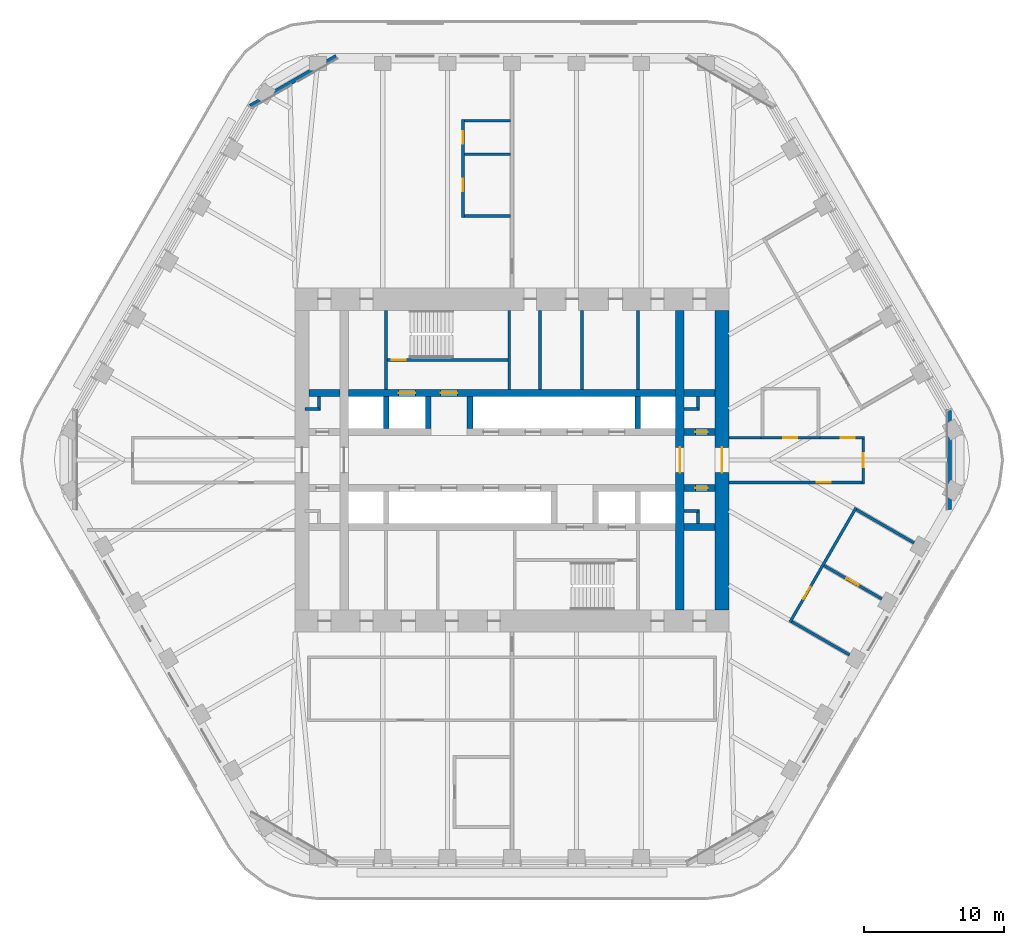
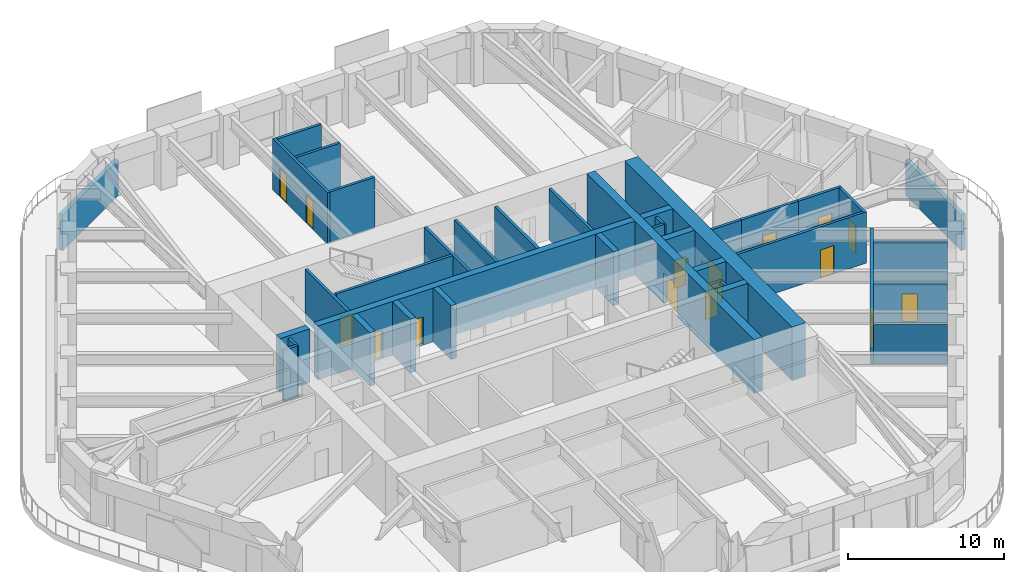
# One storey, part 16 of 20: 39 walls, 15 doors, 15 openings.
"""IFC4 building model written with IfcOpenShell, lengths in metres."""

from ifc_helpers import new_model, si_unit, direction, frame, frame_2d, origin, place, context, subcontext, project, spatial, rectangle, extrude, material, layer, layer_set, type_object, element, fill, save


model = new_model("IFC4")

# Units and contexts
model_context = context("Model", 3, precision=1e-05, world=origin(), true_north=direction((0.0, 1.0)))
body_context = subcontext(model_context, "Body", "Model", "MODEL_VIEW")
ifc_project = project(units=[si_unit("LENGTHUNIT", "METRE"), si_unit("AREAUNIT", "SQUARE_METRE"), si_unit("VOLUMEUNIT", "CUBIC_METRE"), si_unit("PLANEANGLEUNIT", "RADIAN"), si_unit("MASSUNIT", "GRAM", prefix="KILO")], contexts=[model_context])

# Site, building, storey
site_placement = place(None, origin())
site = spatial("IfcSite", under=ifc_project, at=site_placement, CompositionType="ELEMENT")
building_placement = place(site_placement, origin())
building = spatial("IfcBuilding", under=site, at=building_placement, Name="Tarfa Lantern Tower", CompositionType="ELEMENT")
storey_placement = place(building_placement, frame((0.0, 0.0, 261.699951171875)))
storey = spatial("IfcBuildingStorey", under=building, at=storey_placement, Name="L59", CompositionType="ELEMENT", Elevation=261.699951171875)

# Walls
ifc_material_1 = material(Name="Limestone cladding on blockwork", Category="masonry")
ifc_layer_1 = layer(ifc_material_1, 0.300048828125)
ifc_layer_set_1 = layer_set([ifc_layer_1], Name="EW1 STONE-CLAD WALL 300")
wall_type_1 = type_object("IfcWallType", Name="EW1 STONE-CLAD WALL 300", PredefinedType="SOLIDWALL", material=ifc_layer_set_1)
wall_1_placement = place(storey_placement, frame((-12.556396484375, 28.85009765625, 0.0), z_axis=(0.0, 0.0, 1.0), x_axis=(-0.866010973379, -0.500024993363, 0.0)))
element("IfcWall", 1, at=wall_1_placement, inside=storey, type_object=wall_type_1, Name="Garden wall N-NW", PredefinedType="SOLIDWALL", context=body_context, shape_type="SweptSolid", body=[
    extrude(rectangle(XDim=7.101806640625, YDim=0.300048828125, at=frame_2d((3.55078125, 0.0))), origin(), (0.0, 0.0, 1.0), 2.800048828125),
])
wall_2_placement = place(storey_placement, frame((31.262939453125, -3.55078125, 0.0), z_axis=(0.0, 0.0, 1.0), x_axis=(0.0, 1.0, 0.0)))
element("IfcWall", 2, at=wall_2_placement, inside=storey, type_object=wall_type_1, Name="Garden wall SE-NE", PredefinedType="SOLIDWALL", context=body_context, shape_type="SweptSolid", body=[
    extrude(rectangle(XDim=7.1015625, YDim=0.300048828125, at=frame_2d((3.55078125, 0.0))), origin(), (0.0, 0.0, 1.0), 2.800048828125),
])
ifc_material_2 = material(Name="Concrete blockwork", Category="masonry")
ifc_layer_2 = layer(ifc_material_2, 0.199951171875)
ifc_layer_set_2 = layer_set([ifc_layer_2], Name="IW1 BLOCKWORK PARTITION 200 EI 120")
wall_type_2 = type_object("IfcWallType", Name="IW1 BLOCKWORK PARTITION 200 EI 120", PredefinedType="PARTITIONING", material=ifc_layer_set_2)
for number, where, z_axis, x_axis, name in (
    (3, (-9.0, 5.050048828125, 0.0), (0.0, 0.0, 1.0), (0.0, 1.0, 0.0), "Core partition"),
    (4, (9.0, 5.050048828125, 0.0), (0.0, 0.0, 1.0), (0.0, 1.0, 0.0), "Core partition"),
    (5, (2.0, 5.050048828125, 0.0), (0.0, 0.0, 1.0), (0.0, 1.0, 0.0), "Core partition"),
    (6, (5.0, 5.050048828125, 0.0), (0.0, 0.0, 1.0), (0.0, 1.0, 0.0), "Core partition"),
):
    element("IfcWall", number, at=place(storey_placement, frame(where, z_axis=z_axis, x_axis=x_axis)), inside=storey, type_object=wall_type_2, Name=name, PredefinedType="PARTITIONING", context=body_context, shape_type="SweptSolid", body=[
        extrude(rectangle(XDim=5.64990234375, YDim=0.199951171875, at=frame_2d((2.824951171875, 0.0))), origin(), (0.0, 0.0, 1.0), 4.0),
    ])
for number, where, z_axis, x_axis, name in (
    (7, (-14.800048828125, 3.64990234375, 0.0), (0.0, 0.0, 1.0), (1.0, 0.0, 0.0), "Core partition"),
    (8, (-13.800048828125, 3.550048828125, 0.0), (0.0, 0.0, 1.0), (0.0, 1.0, 0.0), "Core partition"),
    (9, (12.300048828125, 3.64990234375, 0.0), (0.0, 0.0, 1.0), (1.0, 0.0, 0.0), "Core partition"),
    (10, (13.300048828125, 3.550048828125, 0.0), (0.0, 0.0, 1.0), (0.0, 1.0, 0.0), "Core partition"),
    (11, (13.300048828125, -3.64990234375, 0.0), (0.0, 0.0, 1.0), (-1.0, 0.0, 0.0), "Core partition"),
    (12, (13.300048828125, -3.550048828125, 0.0), (0.0, 0.0, 1.0), (0.0, -1.0, 0.0), "Core partition"),
):
    element("IfcWall", number, at=place(storey_placement, frame(where, z_axis=z_axis, x_axis=x_axis)), inside=storey, type_object=wall_type_2, Name=name, PredefinedType="PARTITIONING", context=body_context, shape_type="SweptSolid", body=[
        extrude(rectangle(XDim=1.0, YDim=0.199951171875, at=frame_2d((0.5, 0.0))), origin(), (0.0, 0.0, 1.0), 4.0),
    ])

# Wall, opening, door
ifc_material_3 = material(Name="Gypsum board on steel studs", Category="steel")
ifc_layer_3 = layer(ifc_material_3, 0.2099609375)
ifc_layer_set_3 = layer_set([ifc_layer_3], Name="IW2 ACOUSTIC PARTITION 200")
wall_type_3 = type_object("IfcWallType", Name="IW2 ACOUSTIC PARTITION 200", PredefinedType="PARTITIONING", material=ifc_layer_set_3)
wall_3_placement = place(storey_placement, frame((19.86865234375, -11.586669921875, 0.0), z_axis=(0.0, 0.0, 1.0), x_axis=(0.499989672313, 0.866031366395, 0.0)))
wall_3 = element("IfcWall", 13, at=wall_3_placement, inside=storey, type_object=wall_type_3, Name="Partition", PredefinedType="PARTITIONING", context=body_context, shape_type="SweptSolid", body=[
    extrude(rectangle(XDim=9.437744140625, YDim=0.199951171875, at=frame_2d((4.71875, 0.0))), origin(), (0.0, 0.0, 1.0), 4.0),
])
opening_1_placement = place(wall_3_placement, frame((1.909423828125, 0.0, 0.0)))
opening_1 = element("IfcOpeningElement", 14, at=opening_1_placement, cuts=wall_3, Name="Opening D30", PredefinedType="OPENING", context=body_context, shape_type="SweptSolid", body=[
    extrude(rectangle(XDim=1.0, YDim=2.199951171875, at=frame_2d((0.5, 1.10009765625))), frame((0.0, 0.10986328125, 0.0), z_axis=(0.0, -1.0, 0.0), x_axis=(1.0, 0.0, 0.0)), (0.0, 0.0, 1.0), 0.219970703125),
])
ifc_material_4 = material(Name="Timber door", Category="wood")
door_type_1 = type_object("IfcDoorType", Name="DR1 ROOM DOOR 1000x2200", OperationType="SINGLE_SWING_LEFT", PredefinedType="DOOR", material=ifc_material_4)
door_1_placement = place(opening_1_placement, frame((1.0, 0.0, 0.0), z_axis=(0.0, 0.0, 1.0), x_axis=(-1.0, 0.0, 0.0)))
door_1 = element("IfcDoor", 15, at=door_1_placement, inside=storey, type_object=door_type_1, Name="Client reception door", OperationType="SINGLE_SWING_LEFT", OverallHeight=2.199951171875, OverallWidth=1.0, PredefinedType="DOOR", context=body_context, shape_type="SweptSolid", body=[
    extrude(rectangle(XDim=1.0, YDim=2.199951171875, at=frame_2d((0.5, 1.10009765625))), frame((0.0, 0.02490234375, 0.0), z_axis=(0.0, -1.0, 0.0), x_axis=(1.0, 0.0, 0.0)), (0.0, 0.0, 1.0), 0.050048828125),
])
fill(opening_1, door_1)

# Wall
wall_4_placement = place(storey_placement, frame((20.005126953125, -11.550048828125, 0.0), z_axis=(0.0, 0.0, 1.0), x_axis=(0.866033238375, -0.499986429846, 0.0)))
element("IfcWall", 16, at=wall_4_placement, inside=storey, type_object=wall_type_3, Name="Partition", PredefinedType="PARTITIONING", context=body_context, shape_type="SweptSolid", body=[
    extrude(rectangle(XDim=4.750244140625, YDim=0.199951171875, at=frame_2d((2.375, 0.0))), origin(), (0.0, 0.0, 1.0), 3.08154296875),
])

# Wall, opening, door
wall_5_placement = place(storey_placement, frame((22.314697265625, -7.550048828125, 0.0), z_axis=(0.0, 0.0, 1.0), x_axis=(0.866020389056, -0.500008685663, 0.0)))
wall_5 = element("IfcWall", 17, at=wall_5_placement, inside=storey, type_object=wall_type_3, Name="Partition", PredefinedType="PARTITIONING", context=body_context, shape_type="SweptSolid", body=[
    extrude(rectangle(XDim=4.75, YDim=0.199951171875, at=frame_2d((2.375, 0.0))), origin(), (0.0, 0.0, 1.0), 3.08154296875),
])
opening_2_placement = place(wall_5_placement, frame((1.824951171875, 0.0, 0.0)))
opening_2 = element("IfcOpeningElement", 18, at=opening_2_placement, cuts=wall_5, Name="Opening D31", PredefinedType="OPENING", context=body_context, shape_type="SweptSolid", body=[
    extrude(rectangle(XDim=1.0, YDim=2.199951171875, at=frame_2d((0.5, 1.10009765625))), frame((0.0, 0.10986328125, 0.0), z_axis=(0.0, -1.0, 0.0), x_axis=(1.0, 0.0, 0.0)), (0.0, 0.0, 1.0), 0.219970703125),
])
door_2_placement = place(opening_2_placement, origin())
door_2 = element("IfcDoor", 19, at=door_2_placement, inside=storey, type_object=door_type_1, Name="Client meeting room door", OperationType="SINGLE_SWING_RIGHT", OverallHeight=2.199951171875, OverallWidth=1.0, PredefinedType="DOOR", context=body_context, shape_type="SweptSolid", body=[
    extrude(rectangle(XDim=1.0, YDim=2.199951171875, at=frame_2d((0.5, 1.10009765625))), frame((0.0, 0.02490234375, 0.0), z_axis=(0.0, -1.0, 0.0), x_axis=(1.0, 0.0, 0.0)), (0.0, 0.0, 1.0), 0.050048828125),
])
fill(opening_2, door_2)

# Wall
wall_6_placement = place(storey_placement, frame((24.6240234375, -3.550048828125, 0.0), z_axis=(0.0, 0.0, 1.0), x_axis=(0.866020389056, -0.500008685663, 0.0)))
element("IfcWall", 20, at=wall_6_placement, inside=storey, type_object=wall_type_3, Name="Partition", PredefinedType="PARTITIONING", context=body_context, shape_type="SweptSolid", body=[
    extrude(rectangle(XDim=4.75, YDim=0.199951171875, at=frame_2d((2.375, 0.0))), origin(), (0.0, 0.0, 1.0), 3.08154296875),
])

# Wall, opening, door
wall_7_placement = place(storey_placement, frame((17.800048828125, 1.60009765625, 0.0), z_axis=(0.0, 0.0, 1.0), x_axis=(1.0, 0.0, 0.0)))
wall_7 = element("IfcWall", 21, at=wall_7_placement, inside=storey, type_object=wall_type_3, Name="Partition", PredefinedType="PARTITIONING", context=body_context, shape_type="SweptSolid", body=[
    extrude(rectangle(XDim=4.199951171875, YDim=0.199951171875, at=frame_2d((2.10009765625, 0.0))), origin(), (0.0, 0.0, 1.0), 4.0),
])
opening_3_placement = place(wall_7_placement, frame((1.60009765625, 0.0, 0.0)))
opening_3 = element("IfcOpeningElement", 22, at=opening_3_placement, cuts=wall_7, Name="Opening D27", PredefinedType="OPENING", context=body_context, shape_type="SweptSolid", body=[
    extrude(rectangle(XDim=1.0, YDim=2.199951171875, at=frame_2d((0.5, 1.10009765625))), frame((0.0, 0.10986328125, 0.0), z_axis=(0.0, -1.0, 0.0), x_axis=(1.0, 0.0, 0.0)), (0.0, 0.0, 1.0), 0.219970703125),
])
door_3_placement = place(opening_3_placement, origin())
door_3 = element("IfcDoor", 23, at=door_3_placement, inside=storey, type_object=door_type_1, Name="Pantry door", OperationType="SINGLE_SWING_LEFT", OverallHeight=2.199951171875, OverallWidth=1.0, PredefinedType="DOOR", context=body_context, shape_type="SweptSolid", body=[
    extrude(rectangle(XDim=1.0, YDim=2.199951171875, at=frame_2d((0.5, 1.10009765625))), frame((0.0, 0.02490234375, 0.0), z_axis=(0.0, -1.0, 0.0), x_axis=(1.0, 0.0, 0.0)), (0.0, 0.0, 1.0), 0.050048828125),
])
fill(opening_3, door_3)

# Wall
wall_8_placement = place(storey_placement, frame((15.5, 1.60009765625, 0.0), z_axis=(0.0, 0.0, 1.0), x_axis=(1.0, 0.0, 0.0)))
element("IfcWall", 24, at=wall_8_placement, inside=storey, type_object=wall_type_3, Name="Partition", PredefinedType="PARTITIONING", context=body_context, shape_type="SweptSolid", body=[
    extrude(rectangle(XDim=2.300048828125, YDim=0.199951171875, at=frame_2d((1.14990234375, 0.0))), origin(), (0.0, 0.0, 1.0), 4.0),
])

# Wall, opening, door
wall_9_placement = place(storey_placement, frame((22.0, 1.60009765625, 0.0), z_axis=(0.0, 0.0, 1.0), x_axis=(1.0, 0.0, 0.0)))
wall_9 = element("IfcWall", 25, at=wall_9_placement, inside=storey, type_object=wall_type_3, Name="Partition", PredefinedType="PARTITIONING", context=body_context, shape_type="SweptSolid", body=[
    extrude(rectangle(XDim=3.199951171875, YDim=0.199951171875, at=frame_2d((1.60009765625, 0.0))), origin(), (0.0, 0.0, 1.0), 4.0),
])
opening_4_placement = place(wall_9_placement, frame((1.5, 0.0, 0.0)))
opening_4 = element("IfcOpeningElement", 26, at=opening_4_placement, cuts=wall_9, Name="Opening D38", PredefinedType="OPENING", context=body_context, shape_type="SweptSolid", body=[
    extrude(rectangle(XDim=1.0, YDim=2.199951171875, at=frame_2d((0.5, 1.10009765625))), frame((0.0, 0.10986328125, 0.0), z_axis=(0.0, -1.0, 0.0), x_axis=(1.0, 0.0, 0.0)), (0.0, 0.0, 1.0), 0.219970703125),
])
door_4_placement = place(opening_4_placement, origin())
door_4 = element("IfcDoor", 27, at=door_4_placement, inside=storey, type_object=door_type_1, Name="Corridor door", OperationType="SINGLE_SWING_RIGHT", OverallHeight=2.199951171875, OverallWidth=1.0, PredefinedType="DOOR", context=body_context, shape_type="SweptSolid", body=[
    extrude(rectangle(XDim=1.0, YDim=2.199951171875, at=frame_2d((0.5, 1.10009765625))), frame((0.0, 0.02490234375, 0.0), z_axis=(0.0, -1.0, 0.0), x_axis=(1.0, 0.0, 0.0)), (0.0, 0.0, 1.0), 0.050048828125),
])
fill(opening_4, door_4)

wall_10_placement = place(storey_placement, frame((15.5, -1.60009765625, 0.0), z_axis=(0.0, 0.0, 1.0), x_axis=(1.0, 0.0, 0.0)))
wall_10 = element("IfcWall", 28, at=wall_10_placement, inside=storey, type_object=wall_type_3, Name="Partition", PredefinedType="PARTITIONING", context=body_context, shape_type="SweptSolid", body=[
    extrude(rectangle(XDim=9.699951171875, YDim=0.199951171875, at=frame_2d((4.85009765625, 0.0))), origin(), (0.0, 0.0, 1.0), 4.0),
])
opening_5_placement = place(wall_10_placement, frame((6.2900390625, 0.0, 0.0)))
opening_5 = element("IfcOpeningElement", 29, at=opening_5_placement, cuts=wall_10, Name="Opening D39", PredefinedType="OPENING", context=body_context, shape_type="SweptSolid", body=[
    extrude(rectangle(XDim=1.0, YDim=2.199951171875, at=frame_2d((0.5, 1.10009765625))), frame((0.0, 0.10986328125, 0.0), z_axis=(0.0, -1.0, 0.0), x_axis=(1.0, 0.0, 0.0)), (0.0, 0.0, 1.0), 0.219970703125),
])
door_5_placement = place(opening_5_placement, frame((1.0, 0.0, 0.0), z_axis=(0.0, 0.0, 1.0), x_axis=(-1.0, 0.0, 0.0)))
door_5 = element("IfcDoor", 30, at=door_5_placement, inside=storey, type_object=door_type_1, Name="Corridor door", OperationType="SINGLE_SWING_RIGHT", OverallHeight=2.199951171875, OverallWidth=1.0, PredefinedType="DOOR", context=body_context, shape_type="SweptSolid", body=[
    extrude(rectangle(XDim=1.0, YDim=2.199951171875, at=frame_2d((0.5, 1.10009765625))), frame((0.0, 0.02490234375, 0.0), z_axis=(0.0, -1.0, 0.0), x_axis=(1.0, 0.0, 0.0)), (0.0, 0.0, 1.0), 0.050048828125),
])
fill(opening_5, door_5)

wall_11_placement = place(storey_placement, frame((25.10009765625, -1.699951171875, 0.0), z_axis=(0.0, 0.0, 1.0), x_axis=(0.0, 1.0, 0.0)))
wall_11 = element("IfcWall", 31, at=wall_11_placement, inside=storey, type_object=wall_type_3, Name="Partition", PredefinedType="PARTITIONING", context=body_context, shape_type="SweptSolid", body=[
    extrude(rectangle(XDim=3.39990234375, YDim=0.199951171875, at=frame_2d((1.699951171875, 0.0))), origin(), (0.0, 0.0, 1.0), 4.0),
])
opening_6_placement = place(wall_11_placement, frame((1.199951171875, 0.0, 0.0)))
opening_6 = element("IfcOpeningElement", 32, at=opening_6_placement, cuts=wall_11, Name="Opening D37", PredefinedType="OPENING", context=body_context, shape_type="SweptSolid", body=[
    extrude(rectangle(XDim=1.0, YDim=2.199951171875, at=frame_2d((0.5, 1.10009765625))), frame((0.0, 0.10986328125, 0.0), z_axis=(0.0, -1.0, 0.0), x_axis=(1.0, 0.0, 0.0)), (0.0, 0.0, 1.0), 0.219970703125),
])
door_6_placement = place(opening_6_placement, frame((1.0, 0.0, 0.0), z_axis=(0.0, 0.0, 1.0), x_axis=(-1.0, 0.0, 0.0)))
door_6 = element("IfcDoor", 33, at=door_6_placement, inside=storey, type_object=door_type_1, Name="Corridor door", OperationType="SINGLE_SWING_LEFT", OverallHeight=2.199951171875, OverallWidth=1.0, PredefinedType="DOOR", context=body_context, shape_type="SweptSolid", body=[
    extrude(rectangle(XDim=1.0, YDim=2.199951171875, at=frame_2d((0.5, 1.10009765625))), frame((0.0, 0.02490234375, 0.0), z_axis=(0.0, -1.0, 0.0), x_axis=(1.0, 0.0, 0.0)), (0.0, 0.0, 1.0), 0.050048828125),
])
fill(opening_6, door_6)

# Wall, openings, doors
wall_12_placement = place(storey_placement, frame((-3.5, 17.3525390625, 0.0), z_axis=(0.0, 0.0, 1.0), x_axis=(0.0, 1.0, 0.0)))
wall_12 = element("IfcWall", 34, at=wall_12_placement, inside=storey, type_object=wall_type_3, Name="Partition", PredefinedType="PARTITIONING", context=body_context, shape_type="SweptSolid", body=[
    extrude(rectangle(XDim=7.0, YDim=0.199951171875, at=frame_2d((3.5, 0.0))), origin(), (0.0, 0.0, 1.0), 4.0),
])
opening_7_placement = place(wall_12_placement, frame((1.85009765625, 0.0, 0.0)))
opening_7 = element("IfcOpeningElement", 35, at=opening_7_placement, cuts=wall_12, Name="Opening D34", PredefinedType="OPENING", context=body_context, shape_type="SweptSolid", body=[
    extrude(rectangle(XDim=0.89990234375, YDim=2.199951171875, at=frame_2d((0.449951171875, 1.10009765625))), frame((0.0, 0.10986328125, 0.0), z_axis=(0.0, -1.0, 0.0), x_axis=(1.0, 0.0, 0.0)), (0.0, 0.0, 1.0), 0.219970703125),
])
opening_8_placement = place(wall_12_placement, frame((5.25, 0.0, 0.0)))
opening_8 = element("IfcOpeningElement", 36, at=opening_8_placement, cuts=wall_12, Name="Opening D35", PredefinedType="OPENING", context=body_context, shape_type="SweptSolid", body=[
    extrude(rectangle(XDim=0.89990234375, YDim=2.199951171875, at=frame_2d((0.449951171875, 1.10009765625))), frame((0.0, 0.10986328125, 0.0), z_axis=(0.0, -1.0, 0.0), x_axis=(1.0, 0.0, 0.0)), (0.0, 0.0, 1.0), 0.219970703125),
])
door_type_2 = type_object("IfcDoorType", Name="DR3 ROOM DOOR 900x2200", OperationType="SINGLE_SWING_LEFT", PredefinedType="DOOR", material=ifc_material_4)
door_7_placement = place(opening_7_placement, frame((0.89990234375, 0.0, 0.0), z_axis=(0.0, 0.0, 1.0), x_axis=(-1.0, 0.0, 0.0)))
door_7 = element("IfcDoor", 37, at=door_7_placement, inside=storey, type_object=door_type_2, Name="Project room door", OperationType="SINGLE_SWING_LEFT", OverallHeight=2.199951171875, OverallWidth=0.89990234375, PredefinedType="DOOR", context=body_context, shape_type="SweptSolid", body=[
    extrude(rectangle(XDim=0.89990234375, YDim=2.199951171875, at=frame_2d((0.449951171875, 1.10009765625))), frame((0.0, 0.02490234375, 0.0), z_axis=(0.0, -1.0, 0.0), x_axis=(1.0, 0.0, 0.0)), (0.0, 0.0, 1.0), 0.050048828125),
])
fill(opening_7, door_7)
door_8_placement = place(opening_8_placement, frame((0.89990234375, 0.0, 0.0), z_axis=(0.0, 0.0, 1.0), x_axis=(-1.0, 0.0, 0.0)))
door_8 = element("IfcDoor", 38, at=door_8_placement, inside=storey, type_object=door_type_2, Name="Print and copy room door", OperationType="SINGLE_SWING_RIGHT", OverallHeight=2.199951171875, OverallWidth=0.89990234375, PredefinedType="DOOR", context=body_context, shape_type="SweptSolid", body=[
    extrude(rectangle(XDim=0.89990234375, YDim=2.199951171875, at=frame_2d((0.449951171875, 1.10009765625))), frame((0.0, 0.02490234375, 0.0), z_axis=(0.0, -1.0, 0.0), x_axis=(1.0, 0.0, 0.0)), (0.0, 0.0, 1.0), 0.050048828125),
])
fill(opening_8, door_8)

# Walls
for number, where, z_axis, x_axis, name in (
    (39, (-0.10009765625, 17.452392578125, 0.0), (0.0, 0.0, 1.0), (-1.0, 0.0, 0.0), "Partition"),
    (40, (-0.10009765625, 21.8525390625, 0.0), (0.0, 0.0, 1.0), (-1.0, 0.0, 0.0), "Partition"),
    (41, (-0.10009765625, 24.25244140625, 0.0), (0.0, 0.0, 1.0), (-1.0, 0.0, 0.0), "Partition"),
):
    element("IfcWall", number, at=place(storey_placement, frame(where, z_axis=z_axis, x_axis=x_axis)), inside=storey, type_object=wall_type_3, Name=name, PredefinedType="PARTITIONING", context=body_context, shape_type="SweptSolid", body=[
        extrude(rectangle(XDim=3.2998046875, YDim=0.199951171875, at=frame_2d((1.64990234375, 0.0))), origin(), (0.0, 0.0, 1.0), 4.0),
    ])
ifc_material_5 = material(Name="Concrete C80/95", Category="concrete")
ifc_layer_4 = layer(ifc_material_5, 0.199951171875)
ifc_layer_set_4 = layer_set([ifc_layer_4], Name="SW12 CORE WALL 200")
wall_type_4 = type_object("IfcWallType", Name="SW12 CORE WALL 200", PredefinedType="SHEAR", material=ifc_layer_set_4)
wall_13_placement = place(storey_placement, frame((-0.199951171875, 5.050048828125, 0.0), z_axis=(0.0, 0.0, 1.0), x_axis=(0.0, 1.0, 0.0)))
element("IfcWall", 42, at=wall_13_placement, inside=storey, type_object=wall_type_4, Name="Core wall stair shaft N", PredefinedType="SHEAR", context=body_context, shape_type="SweptSolid", body=[
    extrude(rectangle(XDim=5.64990234375, YDim=0.199951171875, at=frame_2d((2.824951171875, 0.0))), origin(), (0.0, 0.0, 1.0), 4.199951171875),
])

# Wall, opening, door
wall_14_placement = place(storey_placement, frame((-8.89990234375, 7.14990234375, 0.0), z_axis=(0.0, 0.0, 1.0), x_axis=(1.0, 0.0, 0.0)))
wall_14 = element("IfcWall", 43, at=wall_14_placement, inside=storey, type_object=wall_type_4, Name="Core wall stair partition N", PredefinedType="SHEAR", context=body_context, shape_type="SweptSolid", body=[
    extrude(rectangle(XDim=8.599853515625, YDim=0.199951171875, at=frame_2d((4.2998046875, 0.0))), origin(), (0.0, 0.0, 1.0), 4.199951171875),
])
opening_9_placement = place(wall_14_placement, frame((0.300048828125, 0.0, 0.0)))
opening_9 = element("IfcOpeningElement", 44, at=opening_9_placement, cuts=wall_14, Name="Opening D23", PredefinedType="OPENING", context=body_context, shape_type="SweptSolid", body=[
    extrude(rectangle(XDim=1.0, YDim=2.199951171875, at=frame_2d((0.5, 1.10009765625))), frame((0.0, 0.10986328125, 0.0), z_axis=(0.0, -1.0, 0.0), x_axis=(1.0, 0.0, 0.0)), (0.0, 0.0, 1.0), 0.219970703125),
])
ifc_material_6 = material(Name="Steel fire door", Category="steel")
door_type_3 = type_object("IfcDoorType", Name="DF2 STAIR DOOR 1000x2200", OperationType="SINGLE_SWING_LEFT", PredefinedType="DOOR", material=ifc_material_6)
door_9_placement = place(opening_9_placement, origin())
door_9 = element("IfcDoor", 45, at=door_9_placement, inside=storey, type_object=door_type_3, Name="Stair door", OperationType="SINGLE_SWING_RIGHT", OverallHeight=2.199951171875, OverallWidth=1.0, PredefinedType="DOOR", context=body_context, shape_type="SweptSolid", body=[
    extrude(rectangle(XDim=1.0, YDim=2.199951171875, at=frame_2d((0.5, 1.10009765625))), frame((0.0, 0.02490234375, 0.0), z_axis=(0.0, -1.0, 0.0), x_axis=(1.0, 0.0, 0.0)), (0.0, 0.0, 1.0), 0.050048828125),
])
fill(opening_9, door_9)

ifc_layer_5 = layer(ifc_material_5, 1.0)
ifc_layer_set_5 = layer_set([ifc_layer_5], Name="SW2 CORE WALL 1000")
wall_type_5 = type_object("IfcWallType", Name="SW2 CORE WALL 1000", PredefinedType="SHEAR", material=ifc_layer_set_5)
wall_15_placement = place(storey_placement, frame((15.0, -10.699951171875, 0.0), z_axis=(0.0, 0.0, 1.0), x_axis=(0.0, 1.0, 0.0)))
wall_15 = element("IfcWall", 46, at=wall_15_placement, inside=storey, type_object=wall_type_5, Name="Core wall E", PredefinedType="SHEAR", context=body_context, shape_type="SweptSolid", body=[
    extrude(rectangle(XDim=21.39990234375, YDim=1.0, at=frame_2d((10.699951171875, 0.0))), origin(), (0.0, 0.0, 1.0), 4.199951171875),
])
opening_10_placement = place(wall_15_placement, frame((9.800048828125, 0.0, 0.0)))
opening_10 = element("IfcOpeningElement", 47, at=opening_10_placement, cuts=wall_15, Name="Opening D11", PredefinedType="OPENING", context=body_context, shape_type="SweptSolid", body=[
    extrude(rectangle(XDim=1.800048828125, YDim=2.39990234375, at=frame_2d((0.89990234375, 1.199951171875))), frame((0.0, 0.510009765625, 0.0), z_axis=(0.0, -1.0, 0.0), x_axis=(1.0, 0.0, 0.0)), (0.0, 0.0, 1.0), 1.02001953125),
])
door_type_4 = type_object("IfcDoorType", Name="DL1 LOBBY DOOR 1800x2400", OperationType="DOUBLE_DOOR_SINGLE_SWING", PredefinedType="DOOR", material=ifc_material_6)
door_10_placement = place(opening_10_placement, frame((1.800048828125, 0.0, 0.0), z_axis=(0.0, 0.0, 1.0), x_axis=(-1.0, 0.0, 0.0)))
door_10 = element("IfcDoor", 48, at=door_10_placement, inside=storey, type_object=door_type_4, Name="Lift lobby door", OperationType="DOUBLE_DOOR_SINGLE_SWING", OverallHeight=2.39990234375, OverallWidth=1.800048828125, PredefinedType="DOOR", context=body_context, shape_type="SweptSolid", body=[
    extrude(rectangle(XDim=1.800048828125, YDim=2.39990234375, at=frame_2d((0.89990234375, 1.199951171875))), frame((0.0, 0.02490234375, 0.0), z_axis=(0.0, -1.0, 0.0), x_axis=(1.0, 0.0, 0.0)), (0.0, 0.0, 1.0), 0.050048828125),
])
fill(opening_10, door_10)

ifc_layer_6 = layer(ifc_material_5, 0.5)
ifc_layer_set_6 = layer_set([ifc_layer_6], Name="SW5 CORE WALL 500")
wall_type_6 = type_object("IfcWallType", Name="SW5 CORE WALL 500", PredefinedType="SHEAR", material=ifc_layer_set_6)
wall_16_placement = place(storey_placement, frame((12.300048828125, 2.0, 0.0), z_axis=(0.0, 0.0, 1.0), x_axis=(1.0, 0.0, 0.0)))
wall_16 = element("IfcWall", 49, at=wall_16_placement, inside=storey, type_object=wall_type_6, Name="Core wall lobby east N", PredefinedType="SHEAR", context=body_context, shape_type="SweptSolid", body=[
    extrude(rectangle(XDim=2.199951171875, YDim=0.5, at=frame_2d((1.10009765625, 0.0))), origin(), (0.0, 0.0, 1.0), 4.199951171875),
])
opening_11_placement = place(wall_16_placement, frame((0.800048828125, 0.0, 0.0)))
opening_11 = element("IfcOpeningElement", 50, at=opening_11_placement, cuts=wall_16, Name="Opening D13", PredefinedType="OPENING", context=body_context, shape_type="SweptSolid", body=[
    extrude(rectangle(XDim=0.89990234375, YDim=2.199951171875, at=frame_2d((0.449951171875, 1.10009765625))), frame((0.0, 0.260009765625, 0.0), z_axis=(0.0, -1.0, 0.0), x_axis=(1.0, 0.0, 0.0)), (0.0, 0.0, 1.0), 0.52001953125),
])
door_type_5 = type_object("IfcDoorType", Name="DF6 SERVICE ROOM DOOR 900x2200", OperationType="SINGLE_SWING_LEFT", PredefinedType="DOOR", material=ifc_material_6)
door_11_placement = place(opening_11_placement, origin())
door_11 = element("IfcDoor", 51, at=door_11_placement, inside=storey, type_object=door_type_5, Name="Service room door", OperationType="SINGLE_SWING_LEFT", OverallHeight=2.199951171875, OverallWidth=0.89990234375, PredefinedType="DOOR", context=body_context, shape_type="SweptSolid", body=[
    extrude(rectangle(XDim=0.89990234375, YDim=2.199951171875, at=frame_2d((0.449951171875, 1.10009765625))), frame((0.0, 0.02490234375, 0.0), z_axis=(0.0, -1.0, 0.0), x_axis=(1.0, 0.0, 0.0)), (0.0, 0.0, 1.0), 0.050048828125),
])
fill(opening_11, door_11)

# Wall
wall_17_placement = place(storey_placement, frame((-14.5, 4.800048828125, 0.0), z_axis=(0.0, 0.0, 1.0), x_axis=(1.0, 0.0, 0.0)))
element("IfcWall", 52, at=wall_17_placement, inside=storey, type_object=wall_type_6, Name="Core wall rear N", PredefinedType="SHEAR", context=body_context, shape_type="SweptSolid", body=[
    extrude(rectangle(XDim=2.199951171875, YDim=0.5, at=frame_2d((1.10009765625, 0.0))), origin(), (0.0, 0.0, 1.0), 4.199951171875),
])

# Wall, openings, doors
wall_18_placement = place(storey_placement, frame((-11.699951171875, 4.800048828125, 0.0), z_axis=(0.0, 0.0, 1.0), x_axis=(1.0, 0.0, 0.0)))
wall_18 = element("IfcWall", 53, at=wall_18_placement, inside=storey, type_object=wall_type_6, Name="Core wall rear N", PredefinedType="SHEAR", context=body_context, shape_type="SweptSolid", body=[
    extrude(rectangle(XDim=23.39990234375, YDim=0.5, at=frame_2d((11.699951171875, 0.0))), origin(), (0.0, 0.0, 1.0), 4.199951171875),
])
opening_12_placement = place(wall_18_placement, frame((6.60009765625, 0.0, 0.0)))
opening_12 = element("IfcOpeningElement", 54, at=opening_12_placement, cuts=wall_18, Name="Opening D09", PredefinedType="OPENING", context=body_context, shape_type="SweptSolid", body=[
    extrude(rectangle(XDim=1.199951171875, YDim=2.199951171875, at=frame_2d((0.60009765625, 1.10009765625))), frame((0.0, 0.260009765625, 0.0), z_axis=(0.0, -1.0, 0.0), x_axis=(1.0, 0.0, 0.0)), (0.0, 0.0, 1.0), 0.52001953125),
])
opening_13_placement = place(wall_18_placement, frame((3.60009765625, 0.0, 0.0)))
opening_13 = element("IfcOpeningElement", 55, at=opening_13_placement, cuts=wall_18, Name="Opening LD01", PredefinedType="OPENING", context=body_context, shape_type="SweptSolid", body=[
    extrude(rectangle(XDim=1.199951171875, YDim=2.199951171875, at=frame_2d((0.60009765625, 1.10009765625))), frame((0.0, 0.260009765625, 0.0), z_axis=(0.0, -1.0, 0.0), x_axis=(1.0, 0.0, 0.0)), (0.0, 0.0, 1.0), 0.52001953125),
])
door_type_6 = type_object("IfcDoorType", Name="DF1 FIREFIGHTING LOBBY DOOR 1200x2200", OperationType="SINGLE_SWING_LEFT", PredefinedType="DOOR", material=ifc_material_6)
door_12_placement = place(opening_12_placement, origin())
door_12 = element("IfcDoor", 56, at=door_12_placement, inside=storey, type_object=door_type_6, Name="Firefighting lobby door", OperationType="SINGLE_SWING_LEFT", OverallHeight=2.199951171875, OverallWidth=1.199951171875, PredefinedType="DOOR", context=body_context, shape_type="SweptSolid", body=[
    extrude(rectangle(XDim=1.199951171875, YDim=2.199951171875, at=frame_2d((0.60009765625, 1.10009765625))), frame((0.0, 0.02490234375, 0.0), z_axis=(0.0, -1.0, 0.0), x_axis=(1.0, 0.0, 0.0)), (0.0, 0.0, 1.0), 0.050048828125),
])
fill(opening_12, door_12)
ifc_material_7 = material(Name="Stainless steel lift door", Category="steel")
door_type_7 = type_object("IfcDoorType", Name="LD1 LIFT LANDING DOOR 1200x2200", OperationType="SLIDING_TO_LEFT", PredefinedType="DOOR", material=ifc_material_7)
door_13_placement = place(opening_13_placement, origin())
door_13 = element("IfcDoor", 57, at=door_13_placement, inside=storey, type_object=door_type_7, Name="Landing door FL1", OperationType="SLIDING_TO_LEFT", OverallHeight=2.199951171875, OverallWidth=1.199951171875, PredefinedType="DOOR", context=body_context, shape_type="SweptSolid", body=[
    extrude(rectangle(XDim=1.199951171875, YDim=2.199951171875, at=frame_2d((0.60009765625, 1.10009765625))), frame((0.0, 0.02490234375, 0.0), z_axis=(0.0, -1.0, 0.0), x_axis=(1.0, 0.0, 0.0)), (0.0, 0.0, 1.0), 0.050048828125),
])
fill(opening_13, door_13)

# Wall
wall_19_placement = place(storey_placement, frame((12.300048828125, 4.800048828125, 0.0), z_axis=(0.0, 0.0, 1.0), x_axis=(1.0, 0.0, 0.0)))
element("IfcWall", 58, at=wall_19_placement, inside=storey, type_object=wall_type_6, Name="Core wall rear N", PredefinedType="SHEAR", context=body_context, shape_type="SweptSolid", body=[
    extrude(rectangle(XDim=2.199951171875, YDim=0.5, at=frame_2d((1.10009765625, 0.0))), origin(), (0.0, 0.0, 1.0), 4.199951171875),
])

# Wall, opening, door
wall_20_placement = place(storey_placement, frame((14.5, -2.0, 0.0), z_axis=(0.0, 0.0, 1.0), x_axis=(-1.0, 0.0, 0.0)))
wall_20 = element("IfcWall", 59, at=wall_20_placement, inside=storey, type_object=wall_type_6, Name="Core wall lobby west S", PredefinedType="SHEAR", context=body_context, shape_type="SweptSolid", body=[
    extrude(rectangle(XDim=2.199951171875, YDim=0.5, at=frame_2d((1.10009765625, 0.0))), origin(), (0.0, 0.0, 1.0), 4.199951171875),
])
opening_14_placement = place(wall_20_placement, frame((0.5, 0.0, 0.0)))
opening_14 = element("IfcOpeningElement", 60, at=opening_14_placement, cuts=wall_20, Name="Opening D16", PredefinedType="OPENING", context=body_context, shape_type="SweptSolid", body=[
    extrude(rectangle(XDim=0.89990234375, YDim=2.199951171875, at=frame_2d((0.449951171875, 1.10009765625))), frame((0.0, 0.260009765625, 0.0), z_axis=(0.0, -1.0, 0.0), x_axis=(1.0, 0.0, 0.0)), (0.0, 0.0, 1.0), 0.52001953125),
])
door_14_placement = place(opening_14_placement, origin())
door_14 = element("IfcDoor", 61, at=door_14_placement, inside=storey, type_object=door_type_5, Name="Service room door", OperationType="SINGLE_SWING_RIGHT", OverallHeight=2.199951171875, OverallWidth=0.89990234375, PredefinedType="DOOR", context=body_context, shape_type="SweptSolid", body=[
    extrude(rectangle(XDim=0.89990234375, YDim=2.199951171875, at=frame_2d((0.449951171875, 1.10009765625))), frame((0.0, 0.02490234375, 0.0), z_axis=(0.0, -1.0, 0.0), x_axis=(1.0, 0.0, 0.0)), (0.0, 0.0, 1.0), 0.050048828125),
])
fill(opening_14, door_14)

# Walls
wall_21_placement = place(storey_placement, frame((14.5, -4.800048828125, 0.0), z_axis=(0.0, 0.0, 1.0), x_axis=(-1.0, 0.0, 0.0)))
element("IfcWall", 62, at=wall_21_placement, inside=storey, type_object=wall_type_6, Name="Core wall rear S", PredefinedType="SHEAR", context=body_context, shape_type="SweptSolid", body=[
    extrude(rectangle(XDim=2.199951171875, YDim=0.5, at=frame_2d((1.10009765625, 0.0))), origin(), (0.0, 0.0, 1.0), 4.199951171875),
])
ifc_layer_7 = layer(ifc_material_5, 0.39990234375)
ifc_layer_set_7 = layer_set([ifc_layer_7], Name="SW6 CORE WALL 400")
wall_type_7 = type_object("IfcWallType", Name="SW6 CORE WALL 400", PredefinedType="SHEAR", material=ifc_layer_set_7)
for number, where, z_axis, x_axis, name in (
    (63, (-9.0, 2.25, 0.0), (0.0, 0.0, 1.0), (0.0, 1.0, 0.0), "Core wall divider N"),
    (64, (-6.0, 2.25, 0.0), (0.0, 0.0, 1.0), (0.0, 1.0, 0.0), "Core wall divider N"),
    (65, (-3.0, 2.25, 0.0), (0.0, 0.0, 1.0), (0.0, 1.0, 0.0), "Core wall divider N"),
    (66, (9.0, 2.25, 0.0), (0.0, 0.0, 1.0), (0.0, 1.0, 0.0), "Core wall divider N"),
):
    element("IfcWall", number, at=place(storey_placement, frame(where, z_axis=z_axis, x_axis=x_axis)), inside=storey, type_object=wall_type_7, Name=name, PredefinedType="SHEAR", context=body_context, shape_type="SweptSolid", body=[
        extrude(rectangle(XDim=2.300048828125, YDim=0.39990234375, at=frame_2d((1.14990234375, 0.0))), origin(), (0.0, 0.0, 1.0), 4.199951171875),
    ])

# Wall, opening, door
ifc_layer_8 = layer(ifc_material_5, 0.60009765625)
ifc_layer_set_8 = layer_set([ifc_layer_8], Name="SW9 CORE WALL 600")
wall_type_8 = type_object("IfcWallType", Name="SW9 CORE WALL 600", PredefinedType="SHEAR", material=ifc_layer_set_8)
wall_22_placement = place(storey_placement, frame((12.0, -10.699951171875, 0.0), z_axis=(0.0, 0.0, 1.0), x_axis=(0.0, 1.0, 0.0)))
wall_22 = element("IfcWall", 67, at=wall_22_placement, inside=storey, type_object=wall_type_8, Name="Core wall cross 12 m east", PredefinedType="SHEAR", context=body_context, shape_type="SweptSolid", body=[
    extrude(rectangle(XDim=21.39990234375, YDim=0.60009765625, at=frame_2d((10.699951171875, 0.0))), origin(), (0.0, 0.0, 1.0), 4.199951171875),
])
opening_15_placement = place(wall_22_placement, frame((9.800048828125, 0.0, 0.0)))
opening_15 = element("IfcOpeningElement", 68, at=opening_15_placement, cuts=wall_22, Name="Opening D25", PredefinedType="OPENING", context=body_context, shape_type="SweptSolid", body=[
    extrude(rectangle(XDim=1.800048828125, YDim=2.39990234375, at=frame_2d((0.89990234375, 1.199951171875))), frame((0.0, 0.31005859375, 0.0), z_axis=(0.0, -1.0, 0.0), x_axis=(1.0, 0.0, 0.0)), (0.0, 0.0, 1.0), 0.6201171875),
])
door_15_placement = place(opening_15_placement, origin())
door_15 = element("IfcDoor", 69, at=door_15_placement, inside=storey, type_object=door_type_4, Name="Lift lobby door", OperationType="DOUBLE_DOOR_SINGLE_SWING", OverallHeight=2.39990234375, OverallWidth=1.800048828125, PredefinedType="DOOR", context=body_context, shape_type="SweptSolid", body=[
    extrude(rectangle(XDim=1.800048828125, YDim=2.39990234375, at=frame_2d((0.89990234375, 1.199951171875))), frame((0.0, 0.02490234375, 0.0), z_axis=(0.0, -1.0, 0.0), x_axis=(1.0, 0.0, 0.0)), (0.0, 0.0, 1.0), 0.050048828125),
])
fill(opening_15, door_15)

save(model, "model.ifc")
